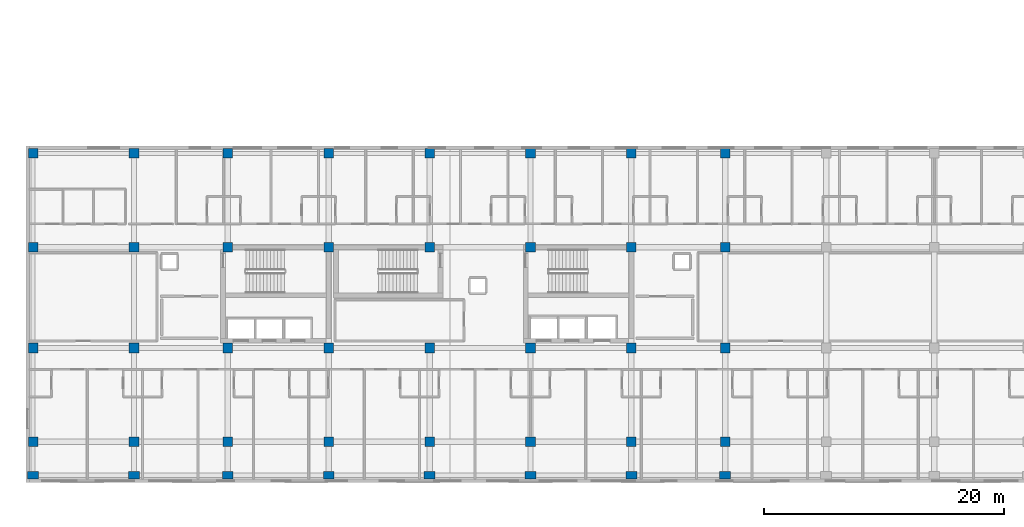
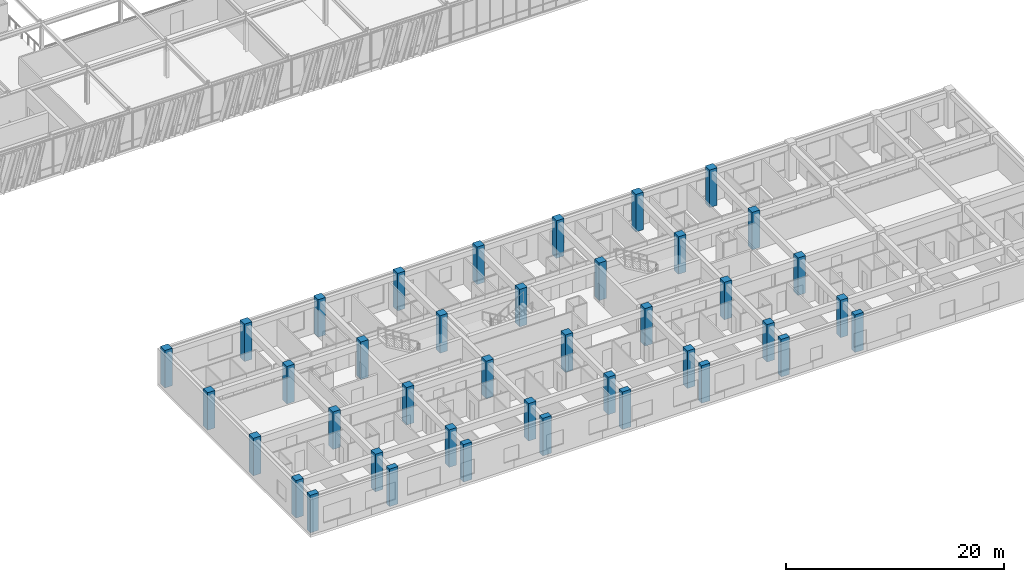
# One storey, part 1 of 123: 40 columns.
"""IFC4 building model written with IfcOpenShell, lengths in metres."""

from ifc_helpers import new_model, si_unit, direction, frame, origin, origin_2d, place, context, subcontext, project, spatial, rectangle, extrude, material, material_profile, profile_set, type_object, element, save


model = new_model("IFC4")

# Units and contexts
model_context = context("Model", 3, precision=1e-05, world=origin(), true_north=direction((0.0, 1.0)))
body_context = subcontext(model_context, "Body", "Model", "MODEL_VIEW")
ifc_project = project(units=[si_unit("LENGTHUNIT", "METRE"), si_unit("AREAUNIT", "SQUARE_METRE"), si_unit("VOLUMEUNIT", "CUBIC_METRE"), si_unit("PLANEANGLEUNIT", "RADIAN"), si_unit("MASSUNIT", "GRAM", prefix="KILO")], contexts=[model_context])

# Site, building, storey
site_placement = place(None, origin())
site = spatial("IfcSite", under=ifc_project, at=site_placement, CompositionType="ELEMENT")
building_placement = place(site_placement, origin())
building = spatial("IfcBuilding", under=site, at=building_placement, Name="Zayran Congress Hotel", CompositionType="ELEMENT")
storey_placement = place(building_placement, frame((0.0, 0.0, 15.0)))
storey = spatial("IfcBuildingStorey", under=building, at=storey_placement, Name="L03", CompositionType="ELEMENT", Elevation=15.0)

# Columns
ifc_material = material(Name="Concrete C40/50", Category="concrete")
ifc_material_profile_1 = material_profile(ifc_material, rectangle(XDim=0.800048828125, YDim=0.800048828125, at=origin_2d()), Name="RC 800x800")
ifc_profile_set_1 = profile_set([ifc_material_profile_1], Name="Concrete C40/50")
column_type_1 = type_object("IfcColumnType", Name="TP-CL-02", PredefinedType="COLUMN", material=ifc_profile_set_1)
for number, where, z_axis, x_axis, name in (
    (1, (9.0, 9.39990234375, 0.0), (0.0, 0.0, 1.0), (1.0, 0.0, 0.0), "COL-V5-L03-1043"),
    (2, (9.0, 17.199951171875, 0.0), (0.0, 0.0, 1.0), (1.0, 0.0, 0.0), "COL-V5-L03-1044"),
    (3, (9.0, 25.60009765625, 0.0), (0.0, 0.0, 1.0), (1.0, 0.0, 0.0), "COL-V5-L03-1045"),
    (4, (9.0, 33.39990234375, 0.0), (0.0, 0.0, 1.0), (1.0, 0.0, 0.0), "COL-V5-L03-1046"),
    (5, (17.39990234375, 9.39990234375, 0.0), (0.0, 0.0, 1.0), (1.0, 0.0, 0.0), "COL-V5-L03-1048"),
    (6, (17.39990234375, 17.199951171875, 0.0), (0.0, 0.0, 1.0), (1.0, 0.0, 0.0), "COL-V5-L03-1049"),
    (7, (17.39990234375, 25.60009765625, 0.0), (0.0, 0.0, 1.0), (1.0, 0.0, 0.0), "COL-V5-L03-1050"),
    (8, (17.39990234375, 33.39990234375, 0.0), (0.0, 0.0, 1.0), (1.0, 0.0, 0.0), "COL-V5-L03-1051"),
    (9, (25.199951171875, 9.39990234375, 0.0), (0.0, 0.0, 1.0), (1.0, 0.0, 0.0), "COL-V5-L03-1053"),
    (10, (25.199951171875, 17.199951171875, 0.0), (0.0, 0.0, 1.0), (1.0, 0.0, 0.0), "COL-V5-L03-1054"),
    (11, (25.199951171875, 25.60009765625, 0.0), (0.0, 0.0, 1.0), (1.0, 0.0, 0.0), "COL-V5-L03-1055"),
    (12, (25.199951171875, 33.39990234375, 0.0), (0.0, 0.0, 1.0), (1.0, 0.0, 0.0), "COL-V5-L03-1056"),
    (13, (33.60009765625, 9.39990234375, 0.0), (0.0, 0.0, 1.0), (1.0, 0.0, 0.0), "COL-V5-L03-1058"),
    (14, (33.60009765625, 17.199951171875, 0.0), (0.0, 0.0, 1.0), (1.0, 0.0, 0.0), "COL-V5-L03-1059"),
    (15, (33.60009765625, 25.60009765625, 0.0), (0.0, 0.0, 1.0), (1.0, 0.0, 0.0), "COL-V5-L03-1060"),
    (16, (33.60009765625, 33.39990234375, 0.0), (0.0, 0.0, 1.0), (1.0, 0.0, 0.0), "COL-V5-L03-1061"),
    (17, (42.0, 9.39990234375, 0.0), (0.0, 0.0, 1.0), (1.0, 0.0, 0.0), "COL-V5-L03-1063"),
    (18, (42.0, 17.199951171875, 0.0), (0.0, 0.0, 1.0), (1.0, 0.0, 0.0), "COL-V5-L03-1064"),
    (19, (42.0, 25.60009765625, 0.0), (0.0, 0.0, 1.0), (1.0, 0.0, 0.0), "COL-V5-L03-1065"),
    (20, (42.0, 33.39990234375, 0.0), (0.0, 0.0, 1.0), (1.0, 0.0, 0.0), "COL-V5-L03-1066"),
    (21, (50.39990234375, 9.39990234375, 0.0), (0.0, 0.0, 1.0), (1.0, 0.0, 0.0), "COL-V5-L03-1068"),
    (22, (50.39990234375, 17.199951171875, 0.0), (0.0, 0.0, 1.0), (1.0, 0.0, 0.0), "COL-V5-L03-1069"),
    (23, (50.39990234375, 25.60009765625, 0.0), (0.0, 0.0, 1.0), (1.0, 0.0, 0.0), "COL-V5-L03-1070"),
    (24, (50.39990234375, 33.39990234375, 0.0), (0.0, 0.0, 1.0), (1.0, 0.0, 0.0), "COL-V5-L03-1071"),
    (25, (58.800048828125, 9.39990234375, 0.0), (0.0, 0.0, 1.0), (1.0, 0.0, 0.0), "COL-V5-L03-1073"),
    (26, (58.800048828125, 17.199951171875, 0.0), (0.0, 0.0, 1.0), (1.0, 0.0, 0.0), "COL-V5-L03-1074"),
    (27, (58.800048828125, 25.60009765625, 0.0), (0.0, 0.0, 1.0), (1.0, 0.0, 0.0), "COL-V5-L03-1075"),
    (28, (58.800048828125, 33.39990234375, 0.0), (0.0, 0.0, 1.0), (1.0, 0.0, 0.0), "COL-V5-L03-1076"),
    (29, (66.60009765625, 9.39990234375, 0.0), (0.0, 0.0, 1.0), (1.0, 0.0, 0.0), "COL-V5-L03-1078"),
    (30, (66.60009765625, 17.199951171875, 0.0), (0.0, 0.0, 1.0), (1.0, 0.0, 0.0), "COL-V5-L03-1079"),
    (31, (66.60009765625, 25.60009765625, 0.0), (0.0, 0.0, 1.0), (1.0, 0.0, 0.0), "COL-V5-L03-1080"),
    (32, (66.60009765625, 33.39990234375, 0.0), (0.0, 0.0, 1.0), (1.0, 0.0, 0.0), "COL-V5-L03-1081"),
):
    element("IfcColumn", number, at=place(storey_placement, frame(where, z_axis=z_axis, x_axis=x_axis)), inside=storey, type_object=column_type_1, Name=name, PredefinedType="COLUMN", context=body_context, shape_type="SweptSolid", body=[
        extrude(rectangle(XDim=0.800048828125, YDim=0.800048828125, at=origin_2d()), origin(), (0.0, 0.0, 1.0), 4.199951171875),
    ])
ifc_material_profile_2 = material_profile(ifc_material, rectangle(XDim=0.60009765625, YDim=0.89990234375, at=origin_2d()), Name="RC 900x600")
ifc_profile_set_2 = profile_set([ifc_material_profile_2], Name="Concrete C40/50")
column_type_2 = type_object("IfcColumnType", Name="TP-CL-05", PredefinedType="COLUMN", material=ifc_profile_set_2)
for number, where, z_axis, x_axis, name in (
    (33, (9.0, 6.60009765625, 0.0), (0.0, 0.0, 1.0), (0.0, 1.0, 0.0), "COL-V5-L03-1042"),
    (34, (17.39990234375, 6.60009765625, 0.0), (0.0, 0.0, 1.0), (0.0, 1.0, 0.0), "COL-V5-L03-1047"),
    (35, (25.199951171875, 6.60009765625, 0.0), (0.0, 0.0, 1.0), (0.0, 1.0, 0.0), "COL-V5-L03-1052"),
    (36, (33.60009765625, 6.60009765625, 0.0), (0.0, 0.0, 1.0), (0.0, 1.0, 0.0), "COL-V5-L03-1057"),
    (37, (42.0, 6.60009765625, 0.0), (0.0, 0.0, 1.0), (0.0, 1.0, 0.0), "COL-V5-L03-1062"),
    (38, (50.39990234375, 6.60009765625, 0.0), (0.0, 0.0, 1.0), (0.0, 1.0, 0.0), "COL-V5-L03-1067"),
    (39, (58.800048828125, 6.60009765625, 0.0), (0.0, 0.0, 1.0), (0.0, 1.0, 0.0), "COL-V5-L03-1072"),
    (40, (66.60009765625, 6.60009765625, 0.0), (0.0, 0.0, 1.0), (0.0, 1.0, 0.0), "COL-V5-L03-1077"),
):
    element("IfcColumn", number, at=place(storey_placement, frame(where, z_axis=z_axis, x_axis=x_axis)), inside=storey, type_object=column_type_2, Name=name, PredefinedType="COLUMN", context=body_context, shape_type="SweptSolid", body=[
        extrude(rectangle(XDim=0.60009765625, YDim=0.89990234375, at=origin_2d()), origin(), (0.0, 0.0, 1.0), 4.199951171875),
    ])

save(model, "model.ifc")
